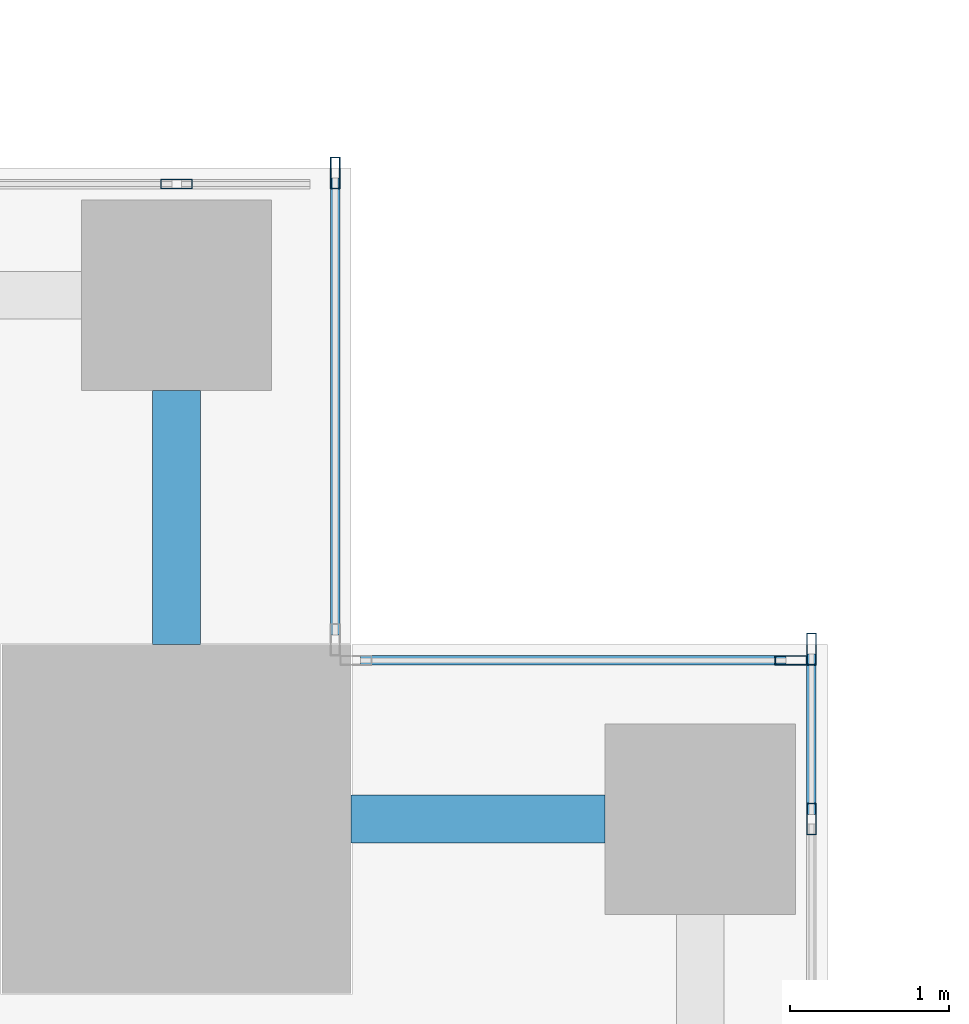
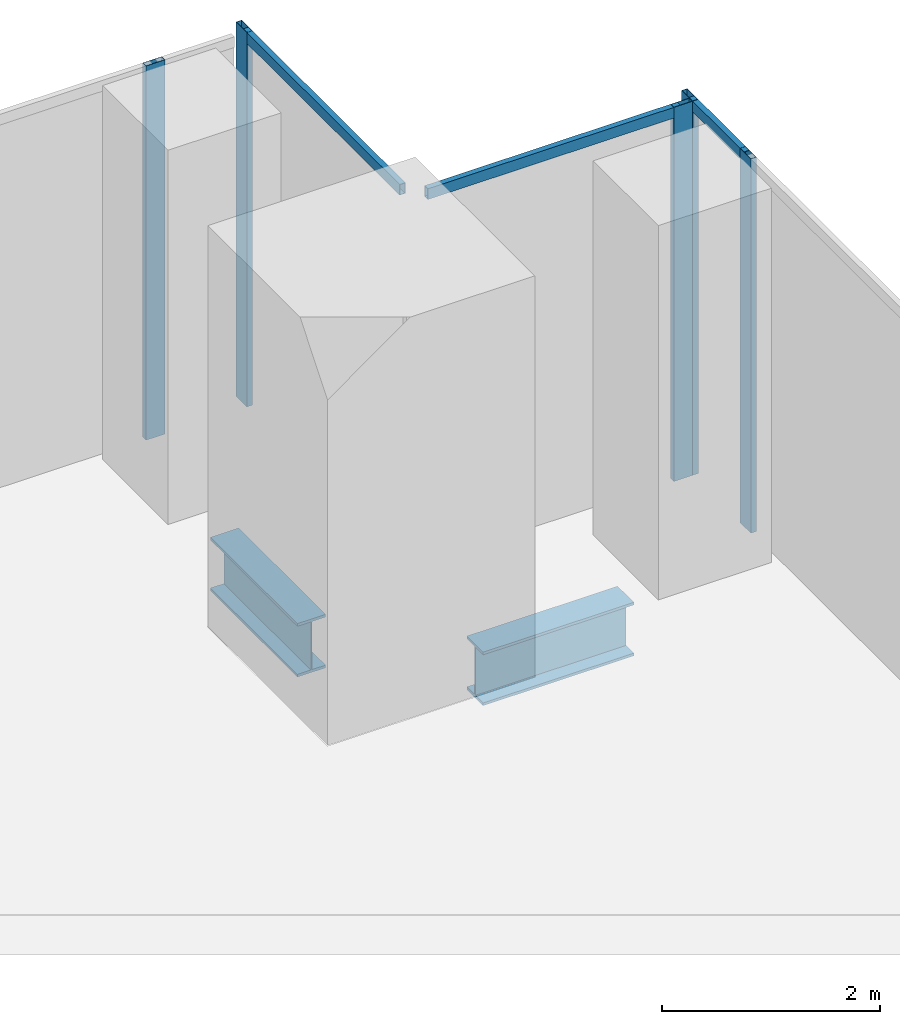
# One storey, part 19 of 32: 8 members, 2 beams, 4 elements without a shape of their own.
"""IFC4 building model written with IfcOpenShell, lengths in metres."""

from ifc_helpers import new_model, si_unit, direction, frame, origin, origin_2d, place, context, subcontext, project, spatial, hollow_rectangle, i_section, extrude, source, transform, mapped, material, material_profile, profile_set, type_object, element, aggregate, save


model = new_model("IFC4")

# Units and contexts
model_context = context("Model", 3, precision=1e-05, world=origin(), true_north=direction((0.0, 1.0)))
body_context = subcontext(model_context, "Body", "Model", "MODEL_VIEW")
ifc_project = project(units=[si_unit("LENGTHUNIT", "METRE"), si_unit("AREAUNIT", "SQUARE_METRE"), si_unit("VOLUMEUNIT", "CUBIC_METRE"), si_unit("PLANEANGLEUNIT", "RADIAN"), si_unit("MASSUNIT", "GRAM", prefix="KILO")], contexts=[model_context])

# Site, building, storey
site_placement = place(None, origin())
site = spatial("IfcSite", under=ifc_project, at=site_placement, CompositionType="ELEMENT")
building_placement = place(site_placement, origin())
building = spatial("IfcBuilding", under=site, at=building_placement, Name="Khomas Fold Tower", CompositionType="ELEMENT")
storey_placement = place(building_placement, frame((0.0, 0.0, 42.0)))
storey = spatial("IfcBuildingStorey", under=building, at=storey_placement, Name="L08", CompositionType="ELEMENT", Elevation=42.0)

# Beams
ifc_material_1 = material(Name="Steel S355", Category="steel")
ifc_material_profile_1 = material_profile(ifc_material_1, i_section(OverallWidth=0.300048828125, OverallDepth=0.60009765625, WebThickness=0.015380859375, FlangeThickness=0.030029296875, at=origin_2d()), Name="HE 600 B")
ifc_profile_set_1 = profile_set([ifc_material_profile_1], Name="Steel S355")
beam_type = type_object("IfcBeamType", Name="HE 600 B spandrel SB1", PredefinedType="SPANDREL", material=ifc_profile_set_1)
shared_shape_1 = source(origin(), body_context, "Body", "SweptSolid", [
    extrude(i_section(OverallWidth=0.300048828125, OverallDepth=0.60009765625, WebThickness=0.015380859375, FlangeThickness=0.030029296875, at=origin_2d()), origin(), (0.0, 0.0, 1.0), 1.60009765625),
])
for number, where, z_axis, x_axis, name in (
    (1, (51.0, 49.89990234375, -0.60009765625), (1.0, 0.0, 0.0), (0.0, 1.0, 0.0), "SB1"),
    (2, (49.89990234375, 51.0, -0.60009765625), (0.0, 1.0, 0.0), (-1.0, 0.0, 0.0), "SB1"),
):
    element("IfcBeam", number, at=place(storey_placement, frame(where, z_axis=z_axis, x_axis=x_axis)), inside=storey, type_object=beam_type, Name=name, PredefinedType="SPANDREL", context=body_context, shape_type="MappedRepresentation", body=[
        mapped(shared_shape_1, transform((0.0, 0.0, 0.0))),
    ])

# Curtain wall, member
ifc_material_2 = material(Name="Aluminium framed double glazing", Category="aluminium")
curtain_wall_type = type_object("IfcCurtainWallType", Name="SK-Unitised clear-glass wall, growing floors CW1", PredefinedType="NOTDEFINED", material=ifc_material_2)
curtain_wall_1_placement = place(storey_placement, origin())
curtain_wall_1 = element("IfcCurtainWall", 3, at=curtain_wall_1_placement, inside=storey, type_object=curtain_wall_type, Name="CW1 run L08 03-1", PredefinedType="NOTDEFINED")
ifc_material_3 = material(Name="Aluminium", Category="aluminium")
ifc_material_profile_2 = material_profile(ifc_material_3, hollow_rectangle(XDim=0.06005859375, YDim=0.1201171875, WallThickness=0.00390625, at=origin_2d()), Name="SK-Unitised clear-glass wall, growing floors transom CW1-T")
ifc_profile_set_2 = profile_set([ifc_material_profile_2], Name="Aluminium")
member_type_1 = type_object("IfcMemberType", Name="SK-Unitised clear-glass wall, growing floors transom CW1-T", PredefinedType="USERDEFINED", material=ifc_profile_set_2)
shared_shape_2 = source(origin(), body_context, "Body", "SweptSolid", [
    extrude(hollow_rectangle(XDim=0.06005859375, YDim=0.1201171875, WallThickness=0.00390625, at=origin_2d()), origin(), (0.0, 0.0, 1.0), 1.010009765625),
])
member_1_placement = place(storey_placement, frame((53.89990234375, 49.929931640625, 4.139892578125), z_axis=(0.0, 1.0, 0.0), x_axis=(-1.0, 0.0, 0.0)))
member_1 = element("IfcMember", 4, at=member_1_placement, type_object=member_type_1, Name="CW1 transom 5", ObjectType="TRANSOM", PredefinedType="USERDEFINED", context=body_context, shape_type="MappedRepresentation", body=[
    mapped(shared_shape_2, transform((0.0, 0.0, 0.0))),
])

curtain_wall_2_placement = place(storey_placement, origin())
curtain_wall_2 = element("IfcCurtainWall", 5, at=curtain_wall_2_placement, inside=storey, type_object=curtain_wall_type, Name="CW1 corner return L08 04", PredefinedType="NOTDEFINED")
shared_shape_3 = source(origin(), body_context, "Body", "SweptSolid", [
    extrude(hollow_rectangle(XDim=0.06005859375, YDim=0.1201171875, WallThickness=0.00390625, at=origin_2d()), origin(), (0.0, 0.0, 1.0), 2.679931640625),
])
member_2_placement = place(storey_placement, frame((53.739990234375, 50.89990234375, 4.139892578125), z_axis=(-1.0, 0.0, 0.0), x_axis=(0.0, -1.0, 0.0)))
member_2 = element("IfcMember", 6, at=member_2_placement, type_object=member_type_1, Name="CW1 transom 1", ObjectType="TRANSOM", PredefinedType="USERDEFINED", context=body_context, shape_type="MappedRepresentation", body=[
    mapped(shared_shape_3, transform((0.0, 0.0, 0.0))),
])

curtain_wall_3_placement = place(storey_placement, origin())
curtain_wall_3 = element("IfcCurtainWall", 7, at=curtain_wall_3_placement, inside=storey, type_object=curtain_wall_type, Name="CW1 corner return L08 05", PredefinedType="NOTDEFINED")
shared_shape_4 = source(origin(), body_context, "Body", "SweptSolid", [
    extrude(hollow_rectangle(XDim=0.06005859375, YDim=0.1201171875, WallThickness=0.00390625, at=origin_2d()), origin(), (0.0, 0.0, 1.0), 2.8798828125),
])
member_3_placement = place(storey_placement, frame((50.89990234375, 51.06005859375, 4.139892578125), z_axis=(0.0, 1.0, 0.0), x_axis=(-1.0, 0.0, 0.0)))
member_3 = element("IfcMember", 8, at=member_3_placement, type_object=member_type_1, Name="CW1 transom 1", ObjectType="TRANSOM", PredefinedType="USERDEFINED", context=body_context, shape_type="MappedRepresentation", body=[
    mapped(shared_shape_4, transform((0.0, 0.0, 0.0))),
])

# Member
ifc_material_4 = material(Name="Aluminium", Category="aluminium")
ifc_material_profile_3 = material_profile(ifc_material_4, hollow_rectangle(XDim=0.06005859375, YDim=0.199951171875, WallThickness=0.00390625, at=origin_2d()), Name="SK-Unitised clear-glass wall, growing floors mullion CW1-M")
ifc_profile_set_3 = profile_set([ifc_material_profile_3], Name="Aluminium")
member_type_2 = type_object("IfcMemberType", Name="SK-Unitised clear-glass wall, growing floors mullion CW1-M", PredefinedType="MULLION", material=ifc_profile_set_3)
shared_shape_5 = source(origin(), body_context, "Body", "SweptSolid", [
    extrude(hollow_rectangle(XDim=0.06005859375, YDim=0.199951171875, WallThickness=0.00390625, at=origin_2d()), origin(), (0.0, 0.0, 1.0), 4.199951171875),
])
member_4_placement = place(storey_placement, frame((53.89990234375, 49.89990234375, 0.0), z_axis=(0.0, 0.0, 1.0), x_axis=(-1.0, 0.0, 0.0)))
member_4 = element("IfcMember", 9, at=member_4_placement, type_object=member_type_2, Name="CW1 mullion 5", PredefinedType="MULLION", context=body_context, shape_type="MappedRepresentation", body=[
    mapped(shared_shape_5, transform((0.0, 0.0, 0.0))),
])

member_5_placement = place(storey_placement, frame((53.89990234375, 50.969970703125, 0.0), z_axis=(0.0, 0.0, 1.0), x_axis=(-1.0, 0.0, 0.0)))
member_5 = element("IfcMember", 10, at=member_5_placement, type_object=member_type_2, Name="CW1 mullion 6", PredefinedType="MULLION", context=body_context, shape_type="MappedRepresentation", body=[
    mapped(shared_shape_5, transform((0.0, 0.0, 0.0))),
])

aggregate(curtain_wall_1, [member_4, member_5, member_1])

member_6_placement = place(storey_placement, frame((53.77001953125, 50.89990234375, 0.0), z_axis=(0.0, 0.0, 1.0), x_axis=(0.0, -1.0, 0.0)))
member_6 = element("IfcMember", 11, at=member_6_placement, type_object=member_type_2, Name="CW1 mullion 1", PredefinedType="MULLION", context=body_context, shape_type="MappedRepresentation", body=[
    mapped(shared_shape_5, transform((0.0, 0.0, 0.0))),
])

aggregate(curtain_wall_2, [member_6, member_2])

member_7_placement = place(storey_placement, frame((50.89990234375, 53.969970703125, 0.0), z_axis=(0.0, 0.0, 1.0), x_axis=(-1.0, 0.0, 0.0)))
member_7 = element("IfcMember", 12, at=member_7_placement, type_object=member_type_2, Name="CW1 mullion 2", PredefinedType="MULLION", context=body_context, shape_type="MappedRepresentation", body=[
    mapped(shared_shape_5, transform((0.0, 0.0, 0.0))),
])

aggregate(curtain_wall_3, [member_7, member_3])

# Curtain wall, member
curtain_wall_4_placement = place(storey_placement, origin())
curtain_wall_4 = element("IfcCurtainWall", 13, at=curtain_wall_4_placement, inside=storey, type_object=curtain_wall_type, Name="CW1 run L08 06-0", PredefinedType="NOTDEFINED")
member_8_placement = place(storey_placement, frame((49.89990234375, 53.89990234375, 0.0), z_axis=(0.0, 0.0, 1.0), x_axis=(0.0, -1.0, 0.0)))
member_8 = element("IfcMember", 14, at=member_8_placement, type_object=member_type_2, Name="CW1 mullion 2", PredefinedType="MULLION", context=body_context, shape_type="MappedRepresentation", body=[
    mapped(shared_shape_5, transform((0.0, 0.0, 0.0))),
])
aggregate(curtain_wall_4, [member_8])

save(model, "model.ifc")
